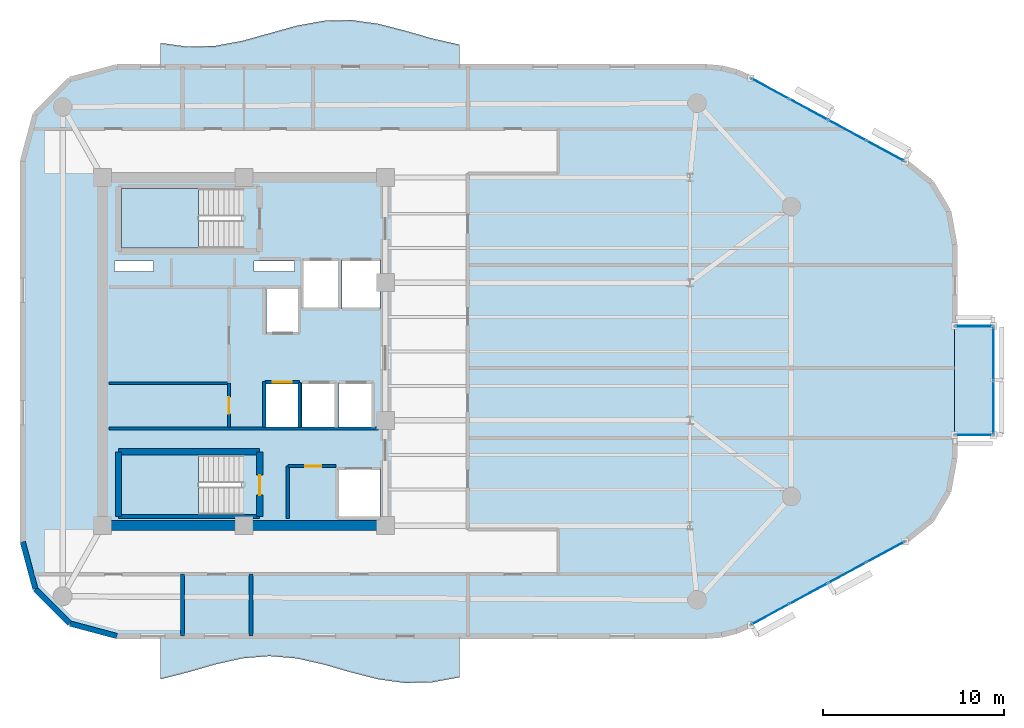
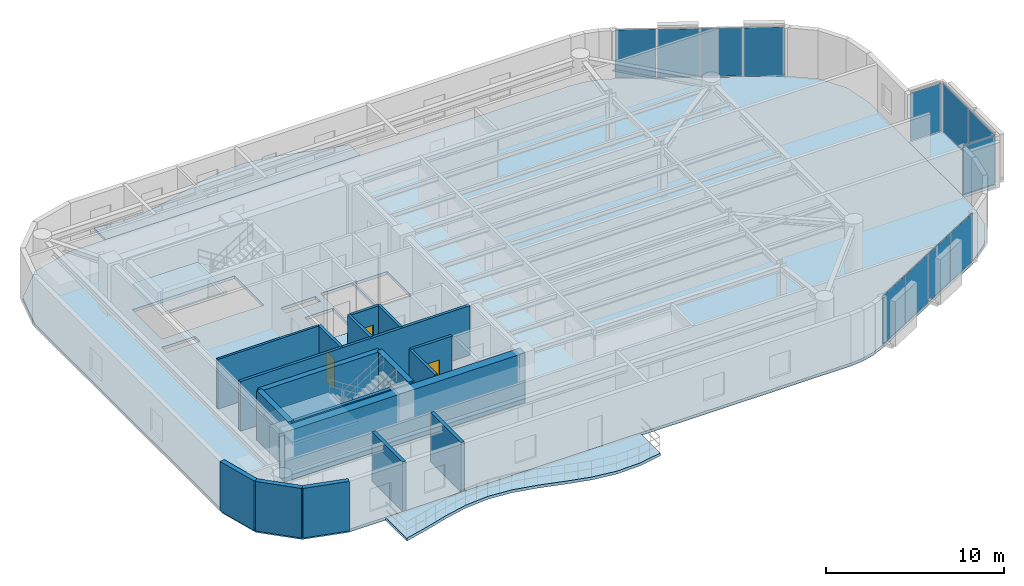
# One storey, part 9 of 14: 18 walls, 12 plates, 6 slabs, 4 doors, 4 openings, 7 elements without a shape of their own.
"""IFC4 building model written with IfcOpenShell, lengths in metres."""

from ifc_helpers import new_model, si_unit, direction, frame, frame_2d, origin, origin_2d, place, context, subcontext, project, spatial, polyline, rectangle, outline, extrude, material, layer, layer_set, type_object, element, fill, aggregate, save


model = new_model("IFC4")

# Units and contexts
model_context = context("Model", 3, precision=1e-05, world=origin(), true_north=direction((0.0, 1.0)))
body_context = subcontext(model_context, "Body", "Model", "MODEL_VIEW")
ifc_project = project(units=[si_unit("LENGTHUNIT", "METRE"), si_unit("AREAUNIT", "SQUARE_METRE"), si_unit("VOLUMEUNIT", "CUBIC_METRE"), si_unit("PLANEANGLEUNIT", "RADIAN"), si_unit("MASSUNIT", "GRAM", prefix="KILO")], contexts=[model_context])

# Site, building, storey
site_placement = place(None, origin())
site = spatial("IfcSite", under=ifc_project, at=site_placement, CompositionType="ELEMENT")
building_placement = place(site_placement, origin())
building = spatial("IfcBuilding", under=site, at=building_placement, Name="An Khanh Terracotta Commons", CompositionType="ELEMENT")
storey_placement = place(building_placement, frame((0.0, 0.0, 219.300048828125)))
storey = spatial("IfcBuildingStorey", under=building, at=storey_placement, Name="L57", CompositionType="ELEMENT", Elevation=219.300048828125)

# Curtain wall, plates
ifc_material_1 = material(Name="Anodised Aluminium 6063-T6", Category="aluminium")
ifc_layer_1 = layer(ifc_material_1, 0.2099609375, Name="Anodised Aluminium 6063-T6")
ifc_layer_set_1 = layer_set([ifc_layer_1], Name="Anodised Aluminium 6063-T6")
curtain_wall_type_1 = type_object("IfcCurtainWallType", Name="CW-SYS-03", PredefinedType="USERDEFINED", material=ifc_layer_set_1)
curtain_wall_1_placement = place(storey_placement, origin())
curtain_wall_1 = element("IfcCurtainWall", 1, at=curtain_wall_1_placement, inside=storey, type_object=curtain_wall_type_1, Name="L57 CW-03 Unitised Curtain Wall CW-L57-08", ObjectType="UNITISED CURTAIN WALL", PredefinedType="USERDEFINED")
ifc_material_2 = material(Name="Acoustic Laminated Low-E Glazing", Category="glass")
ifc_layer_2 = layer(ifc_material_2, 0.035888671875, Name="Acoustic Laminated Low-E Glazing")
ifc_layer_set_2 = layer_set([ifc_layer_2], Name="Acoustic Laminated Low-E Glazing")
plate_type_1 = type_object("IfcPlateType", Name="CWP-IGU-36", PredefinedType="CURTAIN_PANEL", material=ifc_layer_set_2)
plate_1_placement = place(storey_placement, frame((58.436767578125, 9.508544921875, 0.0498046875), z_axis=(0.0, 0.0, 1.0), x_axis=(0.879780095306, 0.47538088298, 0.0)))
plate_1 = element("IfcPlate", 2, at=plate_1_placement, type_object=plate_type_1, Name="CW-03 panel 1.1", PredefinedType="CURTAIN_PANEL", context=body_context, shape_type="SweptSolid", body=[
    extrude(rectangle(XDim=2.314697265625, YDim=0.035888671875, at=origin_2d()), origin(), (0.0, 0.0, 1.0), 3.300048828125),
])
plate_2_placement = place(storey_placement, frame((60.550048828125, 10.650390625, 0.0498046875), z_axis=(0.0, 0.0, 1.0), x_axis=(0.879780095306, 0.47538088298, 0.0)))
plate_2 = element("IfcPlate", 3, at=plate_2_placement, type_object=plate_type_1, Name="CW-03 panel 2.1", PredefinedType="CURTAIN_PANEL", context=body_context, shape_type="SweptSolid", body=[
    extrude(rectangle(XDim=2.349609375, YDim=0.035888671875, at=origin_2d()), origin(), (0.0, 0.0, 1.0), 3.300048828125),
])
plate_3_placement = place(storey_placement, frame((62.678955078125, 11.800537109375, 0.0498046875), z_axis=(0.0, 0.0, 1.0), x_axis=(0.879780095306, 0.47538088298, 0.0)))
plate_3 = element("IfcPlate", 4, at=plate_3_placement, type_object=plate_type_1, Name="CW-03 panel 3.1", PredefinedType="CURTAIN_PANEL", context=body_context, shape_type="SweptSolid", body=[
    extrude(rectangle(XDim=2.349609375, YDim=0.035888671875, at=origin_2d()), origin(), (0.0, 0.0, 1.0), 3.300048828125),
])
plate_4_placement = place(storey_placement, frame((64.792236328125, 12.942626953125, 0.0498046875), z_axis=(0.0, 0.0, 1.0), x_axis=(0.879780095306, 0.47538088298, 0.0)))
plate_4 = element("IfcPlate", 5, at=plate_4_placement, type_object=plate_type_1, Name="CW-03 panel 4.1", PredefinedType="CURTAIN_PANEL", context=body_context, shape_type="SweptSolid", body=[
    extrude(rectangle(XDim=2.314697265625, YDim=0.035888671875, at=origin_2d()), origin(), (0.0, 0.0, 1.0), 3.300048828125),
])
aggregate(curtain_wall_1, [plate_1, plate_2, plate_3, plate_4])

curtain_wall_2_placement = place(storey_placement, origin())
curtain_wall_2 = element("IfcCurtainWall", 6, at=curtain_wall_2_placement, inside=storey, type_object=curtain_wall_type_1, Name="L57 CW-03 Unitised Curtain Wall CW-L57-16", ObjectType="UNITISED CURTAIN WALL", PredefinedType="USERDEFINED")
plate_5_placement = place(storey_placement, frame((64.792236328125, 35.057373046875, 0.0498046875), z_axis=(0.0, 0.0, 1.0), x_axis=(-0.879780095306, 0.47538088298, 0.0)))
plate_5 = element("IfcPlate", 7, at=plate_5_placement, type_object=plate_type_1, Name="CW-03 panel 1.1", PredefinedType="CURTAIN_PANEL", context=body_context, shape_type="SweptSolid", body=[
    extrude(rectangle(XDim=2.314697265625, YDim=0.035888671875, at=origin_2d()), origin(), (0.0, 0.0, 1.0), 3.300048828125),
])
plate_6_placement = place(storey_placement, frame((62.678955078125, 36.199462890625, 0.0498046875), z_axis=(0.0, 0.0, 1.0), x_axis=(-0.879780095306, 0.47538088298, 0.0)))
plate_6 = element("IfcPlate", 8, at=plate_6_placement, type_object=plate_type_1, Name="CW-03 panel 2.1", PredefinedType="CURTAIN_PANEL", context=body_context, shape_type="SweptSolid", body=[
    extrude(rectangle(XDim=2.349609375, YDim=0.035888671875, at=origin_2d()), origin(), (0.0, 0.0, 1.0), 3.300048828125),
])
plate_7_placement = place(storey_placement, frame((60.550048828125, 37.349609375, 0.0498046875), z_axis=(0.0, 0.0, 1.0), x_axis=(-0.879780095306, 0.47538088298, 0.0)))
plate_7 = element("IfcPlate", 9, at=plate_7_placement, type_object=plate_type_1, Name="CW-03 panel 3.1", PredefinedType="CURTAIN_PANEL", context=body_context, shape_type="SweptSolid", body=[
    extrude(rectangle(XDim=2.349609375, YDim=0.035888671875, at=origin_2d()), origin(), (0.0, 0.0, 1.0), 3.300048828125),
])
plate_8_placement = place(storey_placement, frame((58.436767578125, 38.491455078125, 0.0498046875), z_axis=(0.0, 0.0, 1.0), x_axis=(-0.879780095306, 0.47538088298, 0.0)))
plate_8 = element("IfcPlate", 10, at=plate_8_placement, type_object=plate_type_1, Name="CW-03 panel 4.1", PredefinedType="CURTAIN_PANEL", context=body_context, shape_type="SweptSolid", body=[
    extrude(rectangle(XDim=2.314697265625, YDim=0.035888671875, at=origin_2d()), origin(), (0.0, 0.0, 1.0), 3.300048828125),
])
aggregate(curtain_wall_2, [plate_5, plate_6, plate_7, plate_8])

ifc_layer_3 = layer(ifc_material_1, 0.239990234375, Name="Anodised Aluminium 6063-T6")
ifc_layer_set_3 = layer_set([ifc_layer_3], Name="Anodised Aluminium 6063-T6")
curtain_wall_type_2 = type_object("IfcCurtainWallType", Name="CW-SYS-04", PredefinedType="USERDEFINED", material=ifc_layer_set_3)
curtain_wall_3_placement = place(storey_placement, origin())
curtain_wall_3 = element("IfcCurtainWall", 11, at=curtain_wall_3_placement, inside=storey, type_object=curtain_wall_type_2, Name="L57 CW-04 Unitised Curtain Wall CW-L57-EBOX-1", ObjectType="UNITISED CURTAIN WALL", PredefinedType="USERDEFINED")
ifc_material_3 = material(Name="Triple-Silver Sky-Lobby Glazing", Category="glass")
ifc_layer_4 = layer(ifc_material_3, 0.0400390625, Name="Triple-Silver Sky-Lobby Glazing")
ifc_layer_set_4 = layer_set([ifc_layer_4], Name="Triple-Silver Sky-Lobby Glazing")
plate_type_2 = type_object("IfcPlateType", Name="CWP-IGU-40", PredefinedType="CURTAIN_PANEL", material=ifc_layer_set_4)
plate_9_placement = place(storey_placement, frame((70.75, 20.916259765625, 0.06005859375), z_axis=(0.0, 0.0, 1.0), x_axis=(0.0, 1.0, 0.0)))
plate_9 = element("IfcPlate", 12, at=plate_9_placement, type_object=plate_type_2, Name="CW-04 panel 1.1", PredefinedType="CURTAIN_PANEL", context=body_context, shape_type="SweptSolid", body=[
    extrude(rectangle(XDim=2.902587890625, YDim=0.0400390625, at=origin_2d()), origin(), (0.0, 0.0, 1.0), 3.280029296875),
])
plate_10_placement = place(storey_placement, frame((70.75, 23.8837890625, 0.06005859375), z_axis=(0.0, 0.0, 1.0), x_axis=(0.0, 1.0, 0.0)))
plate_10 = element("IfcPlate", 13, at=plate_10_placement, type_object=plate_type_2, Name="CW-04 panel 2.1", PredefinedType="CURTAIN_PANEL", context=body_context, shape_type="SweptSolid", body=[
    extrude(rectangle(XDim=2.902587890625, YDim=0.0400390625, at=origin_2d()), origin(), (0.0, 0.0, 1.0), 3.280029296875),
])
aggregate(curtain_wall_3, [plate_9, plate_10])

# Curtain wall, plate
curtain_wall_4_placement = place(storey_placement, origin())
curtain_wall_4 = element("IfcCurtainWall", 14, at=curtain_wall_4_placement, inside=storey, type_object=curtain_wall_type_2, Name="L57 CW-04 Unitised Curtain Wall CW-L57-EBOX-2", ObjectType="UNITISED CURTAIN WALL", PredefinedType="USERDEFINED")
plate_11_placement = place(storey_placement, frame((69.675048828125, 19.39990234375, 0.06005859375), z_axis=(0.0, 0.0, 1.0), x_axis=(1.0, 0.0, 0.0)))
plate_11 = element("IfcPlate", 15, at=plate_11_placement, type_object=plate_type_2, Name="CW-04 panel 1.1", PredefinedType="CURTAIN_PANEL", context=body_context, shape_type="SweptSolid", body=[
    extrude(rectangle(XDim=2.02001953125, YDim=0.0400390625, at=origin_2d()), origin(), (0.0, 0.0, 1.0), 3.280029296875),
])
aggregate(curtain_wall_4, [plate_11])

curtain_wall_5_placement = place(storey_placement, origin())
curtain_wall_5 = element("IfcCurtainWall", 16, at=curtain_wall_5_placement, inside=storey, type_object=curtain_wall_type_2, Name="L57 CW-04 Unitised Curtain Wall CW-L57-EBOX-3", ObjectType="UNITISED CURTAIN WALL", PredefinedType="USERDEFINED")
plate_12_placement = place(storey_placement, frame((69.675048828125, 25.39990234375, 0.06005859375), z_axis=(0.0, 0.0, 1.0), x_axis=(-1.0, 0.0, 0.0)))
plate_12 = element("IfcPlate", 17, at=plate_12_placement, type_object=plate_type_2, Name="CW-04 panel 1.1", PredefinedType="CURTAIN_PANEL", context=body_context, shape_type="SweptSolid", body=[
    extrude(rectangle(XDim=2.02001953125, YDim=0.0400390625, at=origin_2d()), origin(), (0.0, 0.0, 1.0), 3.280029296875),
])
aggregate(curtain_wall_5, [plate_12])

# Slabs
ifc_material_4 = material(Name="Concrete C40/50", Category="concrete")
ifc_layer_5 = layer(ifc_material_4, 0.199951171875, Name="Concrete C40/50")
ifc_layer_set_5 = layer_set([ifc_layer_5], Name="Concrete C40/50")
slab_type_1 = type_object("IfcSlabType", Name="SLAB-BALC-200", PredefinedType="FLOOR", material=ifc_layer_set_5)
slab_1_placement = place(storey_placement, frame((0.0, 0.0, -0.199951171875)))
element("IfcSlab", 18, at=slab_1_placement, inside=storey, type_object=slab_type_1, Name="L57 S Sinusoidal Wave Balcony Slab", PredefinedType="FLOOR", context=body_context, shape_type="SweptSolid", body=[
    extrude(outline(polyline([(24.800048828125, 8.300048828125), (24.800048828125, 5.919921875), (26.300048828125, 6.303955078125), (27.800048828125, 6.737060546875), (29.300048828125, 7.073974609375), (30.800048828125, 7.199951171875), (32.300048828125, 7.073974609375), (33.800048828125, 6.737060546875), (35.300048828125, 6.303955078125), (36.800048828125, 5.919921875), (38.300048828125, 5.714111328125), (39.800048828125, 5.757080078125), (41.300048828125, 6.032958984375), (41.300048828125, 8.300048828125), (24.800048828125, 8.300048828125)])), origin(), (0.0, 0.0, 1.0), 0.199951171875),
])
slab_2_placement = place(storey_placement, frame((0.0, 0.0, -0.199951171875)))
element("IfcSlab", 19, at=slab_2_placement, inside=storey, type_object=slab_type_1, Name="L57 N Sinusoidal Wave Balcony Slab", PredefinedType="FLOOR", context=body_context, shape_type="SweptSolid", body=[
    extrude(outline(polyline([(41.300048828125, 39.699951171875), (41.300048828125, 40.926025390625), (39.800048828125, 41.262939453125), (38.300048828125, 41.696044921875), (36.800048828125, 42.080078125), (35.300048828125, 42.285888671875), (33.800048828125, 42.242919921875), (32.300048828125, 41.967041015625), (30.800048828125, 41.550048828125), (29.300048828125, 41.133056640625), (27.800048828125, 40.85693359375), (26.300048828125, 40.81396484375), (24.800048828125, 41.02001953125), (24.800048828125, 39.699951171875), (41.300048828125, 39.699951171875)])), origin(), (0.0, 0.0, 1.0), 0.199951171875),
])

# Stair, slab
ifc_material_5 = material(Name="Precast concrete C40/50", Category="concrete")
stair_type = type_object("IfcStairType", Name="STAIR-CORE-1550", PredefinedType="HALF_TURN_STAIR", material=ifc_material_5)
stair_1_placement = place(storey_placement, origin())
stair_1 = element("IfcStair", 20, at=stair_1_placement, inside=storey, type_object=stair_type, Name="L57 Core Smokeproof Exit Stair ST-01", PredefinedType="HALF_TURN_STAIR")
ifc_layer_6 = layer(ifc_material_4, 0.18994140625, Name="Concrete C40/50")
ifc_layer_set_6 = layer_set([ifc_layer_6], Name="Concrete C40/50")
slab_type_2 = type_object("IfcSlabType", Name="SLAB-LANDING-190", PredefinedType="LANDING", material=ifc_layer_set_6)
slab_3_placement = place(storey_placement, frame((0.0, 0.0, 1.599853515625)))
slab_3 = element("IfcSlab", 21, at=slab_3_placement, type_object=slab_type_2, Name="ST-01 landing 1", PredefinedType="LANDING", context=body_context, shape_type="SweptSolid", body=[
    extrude(outline(polyline([(26.889892578125, 33.0), (22.64990234375, 33.0), (22.64990234375, 29.699951171875), (26.889892578125, 29.699951171875), (26.889892578125, 33.0)])), origin(), (0.0, 0.0, 1.0), 0.2001953125),
])
aggregate(stair_1, [slab_3])

stair_2_placement = place(storey_placement, origin())
stair_2 = element("IfcStair", 22, at=stair_2_placement, inside=storey, type_object=stair_type, Name="L57 Core Smokeproof Exit Stair ST-02", PredefinedType="HALF_TURN_STAIR")
slab_4_placement = place(storey_placement, frame((0.0, 0.0, 1.599853515625)))
slab_4 = element("IfcSlab", 23, at=slab_4_placement, type_object=slab_type_2, Name="ST-02 landing 1", PredefinedType="LANDING", context=body_context, shape_type="SweptSolid", body=[
    extrude(outline(polyline([(26.889892578125, 18.300048828125), (22.64990234375, 18.300048828125), (22.64990234375, 15.0), (26.889892578125, 15.0), (26.889892578125, 18.300048828125)])), origin(), (0.0, 0.0, 1.0), 0.2001953125),
])
aggregate(stair_2, [slab_4])

# Slabs
ifc_layer_7 = layer(ifc_material_4, 0.199951171875, Name="Concrete C40/50")
ifc_layer_set_7 = layer_set([ifc_layer_7], Name="Concrete C40/50")
slab_type_3 = type_object("IfcSlabType", Name="SLAB-TYP-200", PredefinedType="FLOOR", material=ifc_layer_set_7)
slab_5_placement = place(storey_placement, frame((0.0, 0.0, -0.199951171875)))
element("IfcSlab", 24, at=slab_5_placement, inside=storey, type_object=slab_type_3, Name="L57 Structural Floor Slab", PredefinedType="FLOOR", context=body_context, shape_type="SweptSolid", body=[
    extrude(outline(polyline([(17.199951171875, 13.5), (17.89697265625, 10.89990234375), (19.800048828125, 8.9970703125), (22.39990234375, 8.300048828125), (54.885009765625, 8.300048828125), (55.739990234375, 8.37109375), (56.571044921875, 8.5810546875), (57.35693359375, 8.925048828125), (65.8720703125, 13.52587890625), (67.320068359375, 14.68408203125), (68.26904296875, 16.27587890625), (68.60009765625, 18.10107421875), (68.60009765625, 29.89892578125), (68.26904296875, 31.72412109375), (67.320068359375, 33.31591796875), (65.8720703125, 34.47412109375), (57.35693359375, 39.074951171875), (56.571044921875, 39.4189453125), (55.739990234375, 39.62890625), (54.885009765625, 39.699951171875), (22.39990234375, 39.699951171875), (19.800048828125, 39.0029296875), (17.89697265625, 37.10009765625), (17.199951171875, 34.5), (17.199951171875, 13.5)]), holes=[polyline([(22.64990234375, 29.699951171875), (29.27001953125, 29.699951171875), (29.27001953125, 33.0), (22.64990234375, 33.0), (22.64990234375, 29.699951171875)]), polyline([(22.64990234375, 15.0), (29.27001953125, 15.0), (29.27001953125, 18.300048828125), (22.64990234375, 18.300048828125), (22.64990234375, 15.0)]), polyline([(32.60009765625, 26.35009765625), (34.679931640625, 26.35009765625), (34.679931640625, 29.080078125), (32.60009765625, 29.080078125), (32.60009765625, 26.35009765625)]), polyline([(34.820068359375, 26.35009765625), (36.89990234375, 26.35009765625), (36.89990234375, 29.080078125), (34.820068359375, 29.080078125), (34.820068359375, 26.35009765625)]), polyline([(34.550048828125, 14.800048828125), (36.89990234375, 14.800048828125), (36.89990234375, 17.550048828125), (34.550048828125, 17.550048828125), (34.550048828125, 14.800048828125)]), polyline([(30.639892578125, 25.0), (32.4599609375, 25.0), (32.4599609375, 27.5), (30.639892578125, 27.5), (30.639892578125, 25.0)]), polyline([(30.56005859375, 19.800048828125), (32.4599609375, 19.800048828125), (32.4599609375, 22.300048828125), (30.56005859375, 22.300048828125), (30.56005859375, 19.800048828125)]), polyline([(32.60009765625, 19.800048828125), (34.5, 19.800048828125), (34.5, 22.300048828125), (32.60009765625, 22.300048828125), (32.60009765625, 19.800048828125)]), polyline([(34.639892578125, 19.800048828125), (36.5400390625, 19.800048828125), (36.5400390625, 22.300048828125), (34.639892578125, 22.300048828125), (34.639892578125, 19.800048828125)]), polyline([(22.25, 28.419921875), (24.39990234375, 28.419921875), (24.39990234375, 28.97998046875), (22.25, 28.97998046875), (22.25, 28.419921875)]), polyline([(29.949951171875, 28.419921875), (32.199951171875, 28.419921875), (32.199951171875, 28.97998046875), (29.949951171875, 28.97998046875), (29.949951171875, 28.419921875)])]), origin(), (0.0, 0.0, 1.0), 0.199951171875),
])
slab_6_placement = place(storey_placement, frame((0.0, 0.0, -0.199951171875)))
element("IfcSlab", 25, at=slab_6_placement, inside=storey, type_object=slab_type_3, Name="L57 Shifted Social Kitchen Box Floor Slab", PredefinedType="FLOOR", context=body_context, shape_type="SweptSolid", body=[
    extrude(outline(polyline([(68.60009765625, 19.39990234375), (70.75, 19.39990234375), (70.75, 25.39990234375), (68.60009765625, 25.39990234375), (68.60009765625, 19.39990234375)])), origin(), (0.0, 0.0, 1.0), 0.199951171875),
])

# Walls
ifc_material_6 = material(Name="Concrete C50/60", Category="concrete")
ifc_layer_8 = layer(ifc_material_6, 0.550048828125, Name="Concrete C50/60")
ifc_layer_set_8 = layer_set([ifc_layer_8], Name="Concrete C50/60")
wall_type_1 = type_object("IfcWallType", Name="WALL-CORE-550", PredefinedType="SHEAR", material=ifc_layer_set_8)
wall_1_placement = place(storey_placement, frame((37.199951171875, 14.39990234375, 0.0), z_axis=(0.0, 0.0, 1.0), x_axis=(-1.0, 0.0, 0.0)))
element("IfcWall", 26, at=wall_1_placement, inside=storey, type_object=wall_type_1, Name="L57 Core Wall CWALL-L57-S", PredefinedType="SHEAR", context=body_context, shape_type="SweptSolid", body=[
    extrude(rectangle(XDim=15.599853515625, YDim=0.550048828125, at=frame_2d((7.7998046875, 0.0))), origin(), (0.0, 0.0, 1.0), 3.39990234375),
])
ifc_material_7 = material(Name="Fire-Rated Gypsum Board on Steel Stud", Category="steel")
ifc_layer_9 = layer(ifc_material_7, 0.179931640625, Name="Fire-Rated Gypsum Board on Steel Stud")
ifc_layer_set_9 = layer_set([ifc_layer_9], Name="Fire-Rated Gypsum Board on Steel Stud")
wall_type_2 = type_object("IfcWallType", Name="WALL-CORR-180", PredefinedType="PARTITIONING", material=ifc_layer_set_9)
wall_2_placement = place(storey_placement, frame((21.949951171875, 19.760009765625, 0.0), z_axis=(0.0, 0.0, 1.0), x_axis=(1.0, 0.0, 0.0)))
element("IfcWall", 27, at=wall_2_placement, inside=storey, type_object=wall_type_2, Name="L57 Core Wall SVW-L57-N", PredefinedType="PARTITIONING", context=body_context, shape_type="SweptSolid", body=[
    extrude(rectangle(XDim=14.8701171875, YDim=0.179931640625, at=frame_2d((7.43505859375, 0.0))), origin(), (0.0, 0.0, 1.0), 3.39990234375),
])

# Wall, opening, door
wall_3_placement = place(storey_placement, frame((31.820068359375, 17.679931640625, 0.0), z_axis=(0.0, 0.0, 1.0), x_axis=(1.0, 0.0, 0.0)))
wall_3 = element("IfcWall", 28, at=wall_3_placement, inside=storey, type_object=wall_type_2, Name="L57 Core Wall SSVCW-L57-N", PredefinedType="PARTITIONING", context=body_context, shape_type="SweptSolid", body=[
    extrude(rectangle(XDim=2.659912109375, YDim=0.179931640625, at=frame_2d((1.330078125, 0.0))), origin(), (0.0, 0.0, 1.0), 3.39990234375),
])
opening_1_placement = place(wall_3_placement, frame((0.949951171875, 0.0, 0.0)))
opening_1 = element("IfcOpeningElement", 29, at=opening_1_placement, cuts=wall_3, Name="Opening D-SV", PredefinedType="OPENING", context=body_context, shape_type="SweptSolid", body=[
    extrude(rectangle(XDim=0.89990234375, YDim=2.050048828125, at=frame_2d((0.449951171875, 1.02490234375))), frame((0.0, 0.099853515625, 0.0), z_axis=(0.0, -1.0, 0.0), x_axis=(1.0, 0.0, 0.0)), (0.0, 0.0, 1.0), 0.199951171875),
])
ifc_material_8 = material(Name="Fire-Rated Powder-Coated Steel Door", Category="steel")
door_type_1 = type_object("IfcDoorType", Name="DOOR-SERV-900", OperationType="NOTDEFINED", PredefinedType="DOOR", material=ifc_material_8)
door_1_placement = place(opening_1_placement, origin())
door_1 = element("IfcDoor", 30, at=door_1_placement, inside=storey, type_object=door_type_1, Name="L57 Core Housekeeping Store Door", OperationType="SINGLE_SWING_LEFT", OverallHeight=2.050048828125, OverallWidth=0.89990234375, PredefinedType="DOOR", context=body_context, shape_type="SweptSolid", body=[
    extrude(rectangle(XDim=0.89990234375, YDim=2.050048828125, at=frame_2d((0.449951171875, 1.02490234375))), frame((0.0, 0.02490234375, 0.0), z_axis=(0.0, -1.0, 0.0), x_axis=(1.0, 0.0, 0.0)), (0.0, 0.0, 1.0), 0.050048828125),
])
fill(opening_1, door_1)

# Wall
wall_4_placement = place(storey_placement, frame((31.820068359375, 14.800048828125, 0.0), z_axis=(0.0, 0.0, 1.0), x_axis=(0.0, 1.0, 0.0)))
element("IfcWall", 31, at=wall_4_placement, inside=storey, type_object=wall_type_2, Name="L57 Core Wall SSVCW-L57-W", PredefinedType="PARTITIONING", context=body_context, shape_type="SweptSolid", body=[
    extrude(rectangle(XDim=2.8798828125, YDim=0.179931640625, at=frame_2d((1.43994140625, 0.0))), origin(), (0.0, 0.0, 1.0), 3.39990234375),
])

# Wall, opening, door
wall_5_placement = place(storey_placement, frame((30.56005859375, 22.300048828125, 0.0), z_axis=(0.0, 0.0, 1.0), x_axis=(1.0, 0.0, 0.0)))
wall_5 = element("IfcWall", 32, at=wall_5_placement, inside=storey, type_object=wall_type_2, Name="L57 Core Wall LSH-L57-PL-H2-N", PredefinedType="PARTITIONING", context=body_context, shape_type="SweptSolid", body=[
    extrude(rectangle(XDim=1.89990234375, YDim=0.179931640625, at=frame_2d((0.949951171875, 0.0))), origin(), (0.0, 0.0, 1.0), 3.39990234375),
])
opening_2_placement = place(wall_5_placement, frame((0.425048828125, 0.0, 0.0)))
opening_2 = element("IfcOpeningElement", 33, at=opening_2_placement, cuts=wall_5, Name="Opening LD-PL-H2-L57", PredefinedType="OPENING", context=body_context, shape_type="SweptSolid", body=[
    extrude(rectangle(XDim=1.050048828125, YDim=2.199951171875, at=frame_2d((0.52490234375, 1.10009765625))), frame((0.0, 0.099853515625, 0.0), z_axis=(0.0, -1.0, 0.0), x_axis=(1.0, 0.0, 0.0)), (0.0, 0.0, 1.0), 0.199951171875),
])
ifc_material_9 = material(Name="Brushed Stainless Steel High-Rise Landing Door", Category="steel")
door_type_2 = type_object("IfcDoorType", Name="DOOR-LD-PAXH-1050", OperationType="NOTDEFINED", PredefinedType="DOOR", material=ifc_material_9)
door_2_placement = place(opening_2_placement, origin())
door_2 = element("IfcDoor", 34, at=door_2_placement, inside=storey, type_object=door_type_2, Name="L57 Lift PL-H2 Sliding Landing Door", OperationType="DOUBLE_DOOR_SLIDING", OverallHeight=2.199951171875, OverallWidth=1.050048828125, PredefinedType="DOOR", context=body_context, shape_type="SweptSolid", body=[
    extrude(rectangle(XDim=1.050048828125, YDim=2.199951171875, at=frame_2d((0.52490234375, 1.10009765625))), frame((0.0, 0.02490234375, 0.0), z_axis=(0.0, -1.0, 0.0), x_axis=(1.0, 0.0, 0.0)), (0.0, 0.0, 1.0), 0.050048828125),
])
fill(opening_2, door_2)

# Walls
wall_6_placement = place(storey_placement, frame((32.4599609375, 19.800048828125, 0.0), z_axis=(0.0, 0.0, 1.0), x_axis=(0.0, 1.0, 0.0)))
element("IfcWall", 35, at=wall_6_placement, inside=storey, type_object=wall_type_2, Name="L57 Core Wall LSH-L57-PL-H2-E", PredefinedType="PARTITIONING", context=body_context, shape_type="SweptSolid", body=[
    extrude(rectangle(XDim=2.5, YDim=0.179931640625, at=frame_2d((1.25, 0.0))), origin(), (0.0, 0.0, 1.0), 3.39990234375),
])
wall_7_placement = place(storey_placement, frame((30.52001953125, 19.800048828125, 0.0), z_axis=(0.0, 0.0, 1.0), x_axis=(0.0, 1.0, 0.0)))
element("IfcWall", 36, at=wall_7_placement, inside=storey, type_object=wall_type_2, Name="L57 Core Wall RECW-L57-BE2", PredefinedType="PARTITIONING", context=body_context, shape_type="SweptSolid", body=[
    extrude(rectangle(XDim=2.550048828125, YDim=0.179931640625, at=frame_2d((1.27490234375, 0.0))), origin(), (0.0, 0.0, 1.0), 3.39990234375),
])

# Wall, opening, door
wall_8_placement = place(storey_placement, frame((28.580078125, 19.800048828125, 0.0), z_axis=(0.0, 0.0, 1.0), x_axis=(0.0, 1.0, 0.0)))
wall_8 = element("IfcWall", 37, at=wall_8_placement, inside=storey, type_object=wall_type_2, Name="L57 Core Wall RECW-L57-E2", PredefinedType="PARTITIONING", context=body_context, shape_type="SweptSolid", body=[
    extrude(rectangle(XDim=2.449951171875, YDim=0.179931640625, at=frame_2d((1.22509765625, 0.0))), origin(), (0.0, 0.0, 1.0), 3.39990234375),
])
opening_3_placement = place(wall_8_placement, frame((0.764892578125, 0.0, 0.0)))
opening_3 = element("IfcOpeningElement", 38, at=opening_3_placement, cuts=wall_8, Name="Opening D-RM", PredefinedType="OPENING", context=body_context, shape_type="SweptSolid", body=[
    extrude(rectangle(XDim=0.919921875, YDim=2.10009765625, at=frame_2d((0.4599609375, 1.050048828125))), frame((0.0, 0.099853515625, 0.0), z_axis=(0.0, -1.0, 0.0), x_axis=(1.0, 0.0, 0.0)), (0.0, 0.0, 1.0), 0.199951171875),
])
ifc_material_10 = material(Name="Engineered Hardwood Timber Leaf", Category="wood")
door_type_3 = type_object("IfcDoorType", Name="DOOR-INT-920", OperationType="NOTDEFINED", PredefinedType="DOOR", material=ifc_material_10)
door_3_placement = place(opening_3_placement, origin())
door_3 = element("IfcDoor", 39, at=door_3_placement, inside=storey, type_object=door_type_3, Name="L57 Floor Pantry and Ice Room Door", OperationType="SINGLE_SWING_LEFT", OverallHeight=2.10009765625, OverallWidth=0.919921875, PredefinedType="DOOR", context=body_context, shape_type="SweptSolid", body=[
    extrude(rectangle(XDim=0.919921875, YDim=2.10009765625, at=frame_2d((0.4599609375, 1.050048828125))), frame((0.0, 0.02490234375, 0.0), z_axis=(0.0, -1.0, 0.0), x_axis=(1.0, 0.0, 0.0)), (0.0, 0.0, 1.0), 0.050048828125),
])
fill(opening_3, door_3)

# Walls
ifc_layer_10 = layer(ifc_material_5, 0.300048828125, Name="Precast concrete C40/50")
ifc_layer_set_10 = layer_set([ifc_layer_10], Name="Precast concrete C40/50")
wall_type_3 = type_object("IfcWallType", Name="WALL-EXT-300", PredefinedType="SOLIDWALL", material=ifc_layer_set_10)
wall_9_placement = place(storey_placement, frame((17.199951171875, 13.5, 0.0), z_axis=(0.0, 0.0, 1.0), x_axis=(0.258932525951, -0.965895412042, 0.0)))
element("IfcWall", 40, at=wall_9_placement, inside=storey, type_object=wall_type_3, Name="L57 Insulated Terracotta Exterior Wall 1", PredefinedType="SOLIDWALL", context=body_context, shape_type="SweptSolid", body=[
    extrude(rectangle(XDim=2.69189453125, YDim=0.300048828125, at=frame_2d((1.345947265625, 0.0))), origin(), (0.0, 0.0, 1.0), 3.39990234375),
])
wall_10_placement = place(storey_placement, frame((17.89697265625, 10.89990234375, 0.0), z_axis=(0.0, 0.0, 1.0), x_axis=(0.707152139074, -0.70706142039, 0.0)))
element("IfcWall", 41, at=wall_10_placement, inside=storey, type_object=wall_type_3, Name="L57 Insulated Terracotta Exterior Wall 2", PredefinedType="SOLIDWALL", context=body_context, shape_type="SweptSolid", body=[
    extrude(rectangle(XDim=2.691162109375, YDim=0.300048828125, at=frame_2d((1.345703125, 0.0))), origin(), (0.0, 0.0, 1.0), 3.39990234375),
])
wall_11_placement = place(storey_placement, frame((19.800048828125, 8.9970703125, 0.0), z_axis=(0.0, 0.0, 1.0), x_axis=(0.965889330541, -0.258955210695, 0.0)))
element("IfcWall", 42, at=wall_11_placement, inside=storey, type_object=wall_type_3, Name="L57 Insulated Terracotta Exterior Wall 3", PredefinedType="SOLIDWALL", context=body_context, shape_type="SweptSolid", body=[
    extrude(rectangle(XDim=2.691650390625, YDim=0.300048828125, at=frame_2d((1.345703125, 0.0))), origin(), (0.0, 0.0, 1.0), 3.39990234375),
])
ifc_material_11 = material(Name="Acoustic Gypsum Board Partition")
ifc_layer_11 = layer(ifc_material_11, 0.14990234375, Name="Acoustic Gypsum Board Partition")
ifc_layer_set_11 = layer_set([ifc_layer_11], Name="Acoustic Gypsum Board Partition")
wall_type_4 = type_object("IfcWallType", Name="WALL-PART-150", PredefinedType="PARTITIONING", material=ifc_layer_set_11)
wall_12_placement = place(storey_placement, frame((21.949951171875, 22.25, 0.0), z_axis=(0.0, 0.0, 1.0), x_axis=(1.0, 0.0, 0.0)))
element("IfcWall", 43, at=wall_12_placement, inside=storey, type_object=wall_type_4, Name="L57 Core Wall RECW-L57-M", PredefinedType="PARTITIONING", context=body_context, shape_type="SweptSolid", body=[
    extrude(rectangle(XDim=6.630126953125, YDim=0.14990234375, at=frame_2d((3.31494140625, 0.0))), origin(), (0.0, 0.0, 1.0), 3.39990234375),
])
ifc_material_12 = material(Name="Acoustic Double-Stud Gypsum and Mineral Wool")
ifc_layer_12 = layer(ifc_material_12, 0.219970703125, Name="Acoustic Double-Stud Gypsum and Mineral Wool")
ifc_layer_set_12 = layer_set([ifc_layer_12], Name="Acoustic Double-Stud Gypsum and Mineral Wool")
wall_type_5 = type_object("IfcWallType", Name="WALL-PARTY-220", PredefinedType="PARTITIONING", material=ifc_layer_set_12)
wall_13_placement = place(storey_placement, frame((22.47998046875, 14.889892578125, 0.0), z_axis=(0.0, 0.0, 1.0), x_axis=(1.0, 0.0, 0.0)))
element("IfcWall", 44, at=wall_13_placement, inside=storey, type_object=wall_type_5, Name="L57 Core Wall STW-L57-S-S", PredefinedType="PARTITIONING", context=body_context, shape_type="SweptSolid", body=[
    extrude(rectangle(XDim=7.7900390625, YDim=0.219970703125, at=frame_2d((3.89501953125, 0.0))), origin(), (0.0, 0.0, 1.0), 3.39990234375),
])
for number, where, z_axis, x_axis, name in (
    (45, (26.0, 8.300048828125, 0.0), (0.0, 0.0, 1.0), (0.0, 1.0, 0.0), "L57 Interior Partition IW-L57-E008"),
    (46, (29.800048828125, 8.300048828125, 0.0), (0.0, 0.0, 1.0), (0.0, 1.0, 0.0), "L57 Interior Partition IW-L57-E011"),
):
    element("IfcWall", number, at=place(storey_placement, frame(where, z_axis=z_axis, x_axis=x_axis)), inside=storey, type_object=wall_type_5, Name=name, PredefinedType="PARTITIONING", context=body_context, shape_type="SweptSolid", body=[
        extrude(rectangle(XDim=3.419921875, YDim=0.219970703125, at=frame_2d((1.7099609375, 0.0))), origin(), (0.0, 0.0, 1.0), 3.39990234375),
    ])
ifc_layer_13 = layer(ifc_material_6, 0.35009765625, Name="Concrete C50/60")
ifc_layer_set_13 = layer_set([ifc_layer_13], Name="Concrete C50/60")
wall_type_6 = type_object("IfcWallType", Name="WALL-SHAFT-350", PredefinedType="SOLIDWALL", material=ifc_layer_set_13)
wall_14_placement = place(storey_placement, frame((22.47998046875, 18.469970703125, 0.0), z_axis=(0.0, 0.0, 1.0), x_axis=(1.0, 0.0, 0.0)))
element("IfcWall", 47, at=wall_14_placement, inside=storey, type_object=wall_type_6, Name="L57 Core Wall STW-L57-S-N", PredefinedType="SOLIDWALL", context=body_context, shape_type="SweptSolid", body=[
    extrude(rectangle(XDim=7.7900390625, YDim=0.35009765625, at=frame_2d((3.89501953125, 0.0))), origin(), (0.0, 0.0, 1.0), 3.39990234375),
])
wall_15_placement = place(storey_placement, frame((22.47998046875, 14.889892578125, 0.0), z_axis=(0.0, 0.0, 1.0), x_axis=(0.0, 1.0, 0.0)))
element("IfcWall", 48, at=wall_15_placement, inside=storey, type_object=wall_type_6, Name="L57 Core Wall STW-L57-S-W", PredefinedType="SOLIDWALL", context=body_context, shape_type="SweptSolid", body=[
    extrude(rectangle(XDim=3.580078125, YDim=0.35009765625, at=frame_2d((1.7900390625, 0.0))), origin(), (0.0, 0.0, 1.0), 3.39990234375),
])

# Wall, opening, door
wall_16_placement = place(storey_placement, frame((30.27001953125, 14.889892578125, 0.0), z_axis=(0.0, 0.0, 1.0), x_axis=(0.0, 1.0, 0.0)))
wall_16 = element("IfcWall", 49, at=wall_16_placement, inside=storey, type_object=wall_type_6, Name="L57 Core Wall STW-L57-S-E", PredefinedType="SOLIDWALL", context=body_context, shape_type="SweptSolid", body=[
    extrude(rectangle(XDim=3.580078125, YDim=0.35009765625, at=frame_2d((1.7900390625, 0.0))), origin(), (0.0, 0.0, 1.0), 3.39990234375),
])
opening_4_placement = place(wall_16_placement, frame((1.18994140625, 0.0, 0.0)))
opening_4 = element("IfcOpeningElement", 50, at=opening_4_placement, cuts=wall_16, Name="Opening D-ST", PredefinedType="OPENING", context=body_context, shape_type="SweptSolid", body=[
    extrude(rectangle(XDim=1.10009765625, YDim=2.14990234375, at=frame_2d((0.550048828125, 1.074951171875))), frame((0.0, 0.18505859375, 0.0), z_axis=(0.0, -1.0, 0.0), x_axis=(1.0, 0.0, 0.0)), (0.0, 0.0, 1.0), 0.3701171875),
])
ifc_material_13 = material(Name="Fire-Rated Steel Leaf and Frame", Category="steel")
door_type_4 = type_object("IfcDoorType", Name="DOOR-STAIR-1100", OperationType="NOTDEFINED", PredefinedType="DOOR", material=ifc_material_13)
door_4_placement = place(opening_4_placement, origin())
door_4 = element("IfcDoor", 51, at=door_4_placement, inside=storey, type_object=door_type_4, Name="L57 Stair ST-02 Fire Door", OperationType="SINGLE_SWING_RIGHT", OverallHeight=2.14990234375, OverallWidth=1.10009765625, PredefinedType="DOOR", context=body_context, shape_type="SweptSolid", body=[
    extrude(rectangle(XDim=1.10009765625, YDim=2.14990234375, at=frame_2d((0.550048828125, 1.074951171875))), frame((0.0, 0.02490234375, 0.0), z_axis=(0.0, -1.0, 0.0), x_axis=(1.0, 0.0, 0.0)), (0.0, 0.0, 1.0), 0.050048828125),
])
fill(opening_4, door_4)

save(model, "model.ifc")
